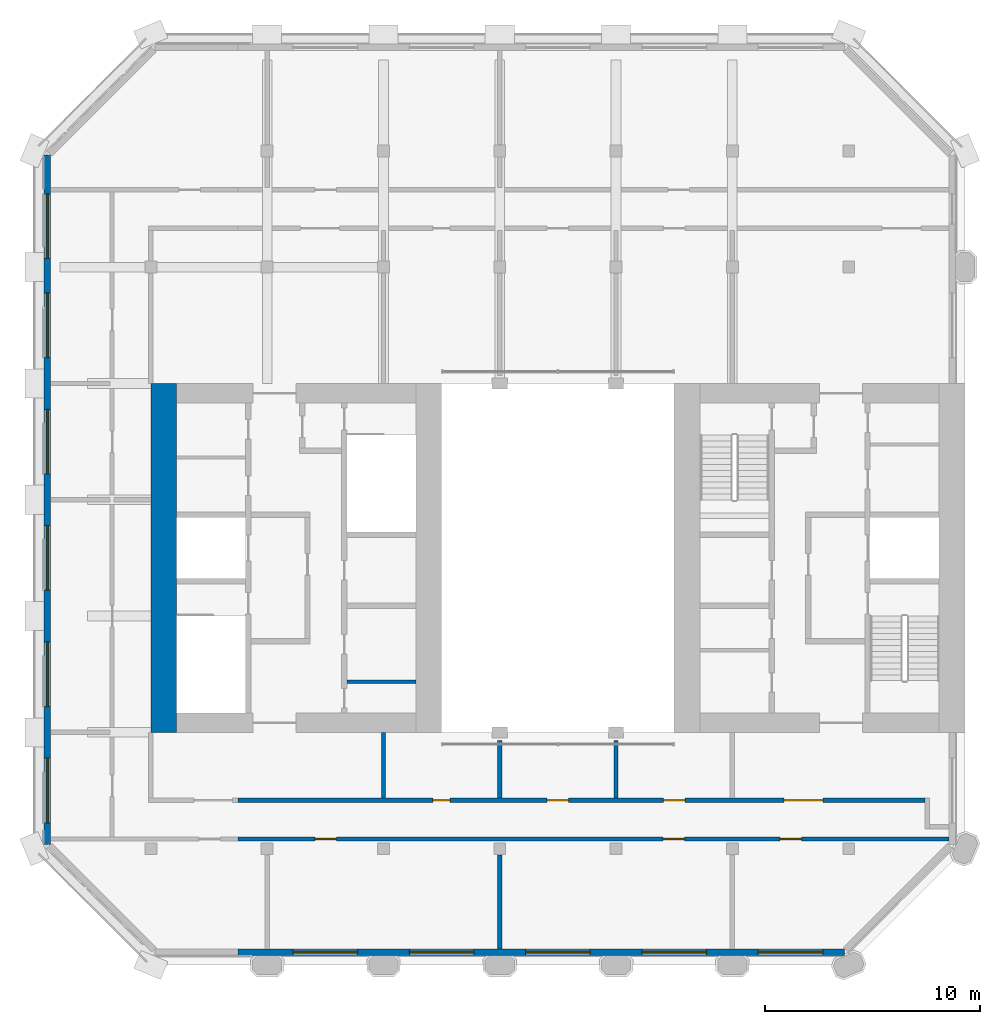
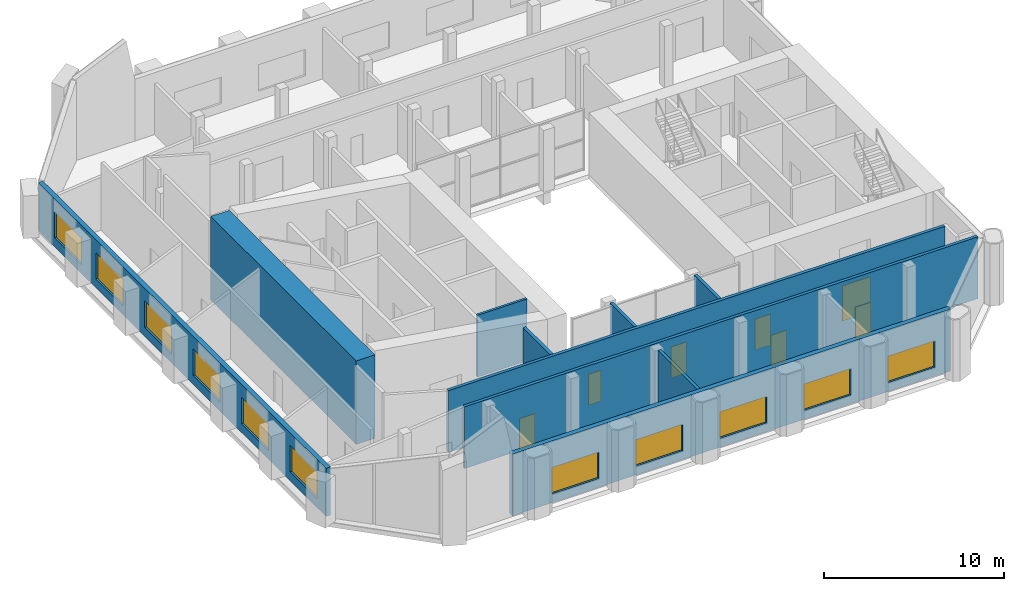
# One storey, part 6 of 11: 11 windows, 10 walls, 7 doors, 18 openings.
"""IFC4 building model written with IfcOpenShell, lengths in metres."""

from ifc_helpers import new_model, si_unit, direction, frame, frame_2d, origin, place, context, subcontext, project, spatial, polyline, rectangle, outline, extrude, material, layer, layer_set, type_object, element, fill, save


model = new_model("IFC4")

# Units and contexts
model_context = context("Model", 3, precision=1e-05, world=origin(), true_north=direction((0.0, 1.0)))
body_context = subcontext(model_context, "Body", "Model", "MODEL_VIEW")
ifc_project = project(units=[si_unit("LENGTHUNIT", "METRE"), si_unit("AREAUNIT", "SQUARE_METRE"), si_unit("VOLUMEUNIT", "CUBIC_METRE"), si_unit("PLANEANGLEUNIT", "RADIAN"), si_unit("MASSUNIT", "GRAM", prefix="KILO")], contexts=[model_context])

# Site, building, storey
site_placement = place(None, origin())
site = spatial("IfcSite", under=ifc_project, at=site_placement, CompositionType="ELEMENT")
building_placement = place(site_placement, origin())
building = spatial("IfcBuilding", under=site, at=building_placement, Name="Tabaq Tower and Sports Hall", CompositionType="ELEMENT")
storey_placement = place(building_placement, frame((0.0, 0.0, 321.699951171875)))
storey = spatial("IfcBuildingStorey", under=building, at=storey_placement, Name="L80", CompositionType="ELEMENT", Elevation=321.699951171875)

# Walls
ifc_material_1 = material(Name="Blockwork", Category="masonry")
ifc_layer_1 = layer(ifc_material_1, 0.14990234375)
ifc_layer_set_1 = layer_set([ifc_layer_1], Name="Core room partition 150 Blockwork")
wall_type_1 = type_object("IfcWallType", Name="Core room partition 150 Blockwork", PredefinedType="PARTITIONING", material=ifc_layer_set_1)
wall_1_placement = place(storey_placement, frame((14.5, 18.554931640625, 0.0), z_axis=(0.0, 0.0, 1.0), x_axis=(1.0, 0.0, 0.0)))
element("IfcWall", 1, at=wall_1_placement, inside=storey, type_object=wall_type_1, Name="Core room partition W L80", PredefinedType="PARTITIONING", context=body_context, shape_type="SweptSolid", body=[
    extrude(rectangle(XDim=3.199951171875, YDim=0.14990234375, at=frame_2d((1.60009765625, 0.0))), origin(), (0.0, 0.0, 1.0), 4.199951171875),
])
ifc_material_2 = material(Name="Concrete C40/50", Category="concrete")
ifc_layer_2 = layer(ifc_material_2, 1.199951171875)
ifc_layer_set_2 = layer_set([ifc_layer_2], Name="Core wall 1200 Concrete C40/50")
wall_type_2 = type_object("IfcWallType", Name="Core wall 1200 Concrete C40/50", PredefinedType="SOLIDWALL", material=ifc_layer_set_2)
wall_2_placement = place(storey_placement, frame((6.0, 16.199951171875, 0.0), z_axis=(0.0, 0.0, 1.0), x_axis=(0.0, 1.0, 0.0)))
element("IfcWall", 2, at=wall_2_placement, inside=storey, type_object=wall_type_2, Name="Core wall W L80", PredefinedType="SOLIDWALL", context=body_context, shape_type="SweptSolid", body=[
    extrude(rectangle(XDim=16.199951171875, YDim=1.199951171875, at=frame_2d((8.10009765625, 0.0))), origin(), (0.0, 0.0, 1.0), 5.666748046875),
])
ifc_material_3 = material(Name="Blockwork", Category="masonry")
ifc_layer_3 = layer(ifc_material_3, 0.199951171875)
ifc_layer_set_3 = layer_set([ifc_layer_3], Name="Fire compartment wall 200 Blockwork")
wall_type_3 = type_object("IfcWallType", Name="Fire compartment wall 200 Blockwork", PredefinedType="PARTITIONING", material=ifc_layer_set_3)
wall_3_placement = place(storey_placement, frame((21.60009765625, 10.5048828125, 0.0), z_axis=(0.0, 0.0, 1.0), x_axis=(0.0, -1.0, 0.0)))
element("IfcWall", 3, at=wall_3_placement, inside=storey, type_object=wall_type_3, Name="Compartment wall L80", PredefinedType="PARTITIONING", context=body_context, shape_type="SweptSolid", body=[
    extrude(rectangle(XDim=4.35400390625, YDim=0.199951171875, at=frame_2d((2.177001953125, 0.0))), origin(), (0.0, 0.0, 1.0), 4.199951171875),
])

# Wall, openings, doors
wall_4_placement = place(storey_placement, frame((9.449951171875, 11.25, 0.0), z_axis=(0.0, 0.0, 1.0), x_axis=(1.0, 0.0, 0.0)))
wall_4 = element("IfcWall", 4, at=wall_4_placement, inside=storey, type_object=wall_type_3, Name="Compartment wall L80", PredefinedType="PARTITIONING", context=body_context, shape_type="SweptSolid", body=[
    extrude(rectangle(XDim=32.9990234375, YDim=0.199951171875, at=frame_2d((16.49951171875, 0.0))), origin(), (0.0, 0.0, 1.0), 4.199951171875),
])
opening_1_placement = place(wall_4_placement, frame((25.1669921875, 0.0, 0.0)))
opening_1 = element("IfcOpeningElement", 5, at=opening_1_placement, cuts=wall_4, Name="Opening L80-010", PredefinedType="OPENING", context=body_context, shape_type="SweptSolid", body=[
    extrude(rectangle(XDim=1.0, YDim=2.10009765625, at=frame_2d((0.5, 1.050048828125))), frame((0.0, 0.10009765625, 0.0), z_axis=(0.0, -1.0, 0.0), x_axis=(1.0, 0.0, 0.0)), (0.0, 0.0, 1.0), 0.199951171875),
])
opening_2_placement = place(wall_4_placement, frame((19.73291015625, 0.0, 0.0)))
opening_2 = element("IfcOpeningElement", 6, at=opening_2_placement, cuts=wall_4, Name="Opening L80-011", PredefinedType="OPENING", context=body_context, shape_type="SweptSolid", body=[
    extrude(rectangle(XDim=1.0, YDim=2.10009765625, at=frame_2d((0.5, 1.050048828125))), frame((0.0, 0.10009765625, 0.0), z_axis=(0.0, -1.0, 0.0), x_axis=(1.0, 0.0, 0.0)), (0.0, 0.0, 1.0), 0.199951171875),
])
opening_3_placement = place(wall_4_placement, frame((3.56689453125, 0.0, 0.0)))
opening_3 = element("IfcOpeningElement", 7, at=opening_3_placement, cuts=wall_4, Name="Opening L80-012", PredefinedType="OPENING", context=body_context, shape_type="SweptSolid", body=[
    extrude(rectangle(XDim=1.0, YDim=2.10009765625, at=frame_2d((0.5, 1.050048828125))), frame((0.0, 0.10009765625, 0.0), z_axis=(0.0, -1.0, 0.0), x_axis=(1.0, 0.0, 0.0)), (0.0, 0.0, 1.0), 0.199951171875),
])
ifc_material_4 = material(Name="Steel fire door", Category="steel")
door_type_1 = type_object("IfcDoorType", Name="Plant room door 1000 left hand", OperationType="SINGLE_SWING_LEFT", PredefinedType="DOOR", material=ifc_material_4)
door_1_placement = place(opening_2_placement, origin())
door_1 = element("IfcDoor", 8, at=door_1_placement, inside=storey, type_object=door_type_1, Name="Plant room door L80-011", OperationType="SINGLE_SWING_LEFT", OverallHeight=2.10009765625, OverallWidth=1.0, PredefinedType="DOOR", context=body_context, shape_type="SweptSolid", body=[
    extrude(rectangle(XDim=1.0, YDim=2.10009765625, at=frame_2d((0.5, 1.050048828125))), frame((0.0, 0.02490234375, 0.0), z_axis=(0.0, -1.0, 0.0), x_axis=(1.0, 0.0, 0.0)), (0.0, 0.0, 1.0), 0.050048828125),
])
fill(opening_2, door_1)
door_2_placement = place(opening_3_placement, origin())
door_2 = element("IfcDoor", 9, at=door_2_placement, inside=storey, type_object=door_type_1, Name="Plant room door L80-012", OperationType="SINGLE_SWING_LEFT", OverallHeight=2.10009765625, OverallWidth=1.0, PredefinedType="DOOR", context=body_context, shape_type="SweptSolid", body=[
    extrude(rectangle(XDim=1.0, YDim=2.10009765625, at=frame_2d((0.5, 1.050048828125))), frame((0.0, 0.02490234375, 0.0), z_axis=(0.0, -1.0, 0.0), x_axis=(1.0, 0.0, 0.0)), (0.0, 0.0, 1.0), 0.050048828125),
])
fill(opening_3, door_2)
ifc_material_5 = material(Name="Steel fire door", Category="steel")
door_type_2 = type_object("IfcDoorType", Name="Plant room door 1000 right hand", OperationType="SINGLE_SWING_RIGHT", PredefinedType="DOOR", material=ifc_material_5)
door_3_placement = place(opening_1_placement, origin())
door_3 = element("IfcDoor", 10, at=door_3_placement, inside=storey, type_object=door_type_2, Name="Plant room door L80-010", OperationType="SINGLE_SWING_RIGHT", OverallHeight=2.10009765625, OverallWidth=1.0, PredefinedType="DOOR", context=body_context, shape_type="SweptSolid", body=[
    extrude(rectangle(XDim=1.0, YDim=2.10009765625, at=frame_2d((0.5, 1.050048828125))), frame((0.0, 0.02490234375, 0.0), z_axis=(0.0, -1.0, 0.0), x_axis=(1.0, 0.0, 0.0)), (0.0, 0.0, 1.0), 0.050048828125),
])
fill(opening_1, door_3)

# Walls
for number, where, z_axis, x_axis, name in (
    (11, (27.0, 15.830078125, 0.0), (0.0, 0.0, 1.0), (0.0, -1.0, 0.0), "Compartment wall L80"),
    (12, (21.60009765625, 15.830078125, 0.0), (0.0, 0.0, 1.0), (0.0, -1.0, 0.0), "Compartment wall L80"),
):
    element("IfcWall", number, at=place(storey_placement, frame(where, z_axis=z_axis, x_axis=x_axis)), inside=storey, type_object=wall_type_3, Name=name, PredefinedType="PARTITIONING", context=body_context, shape_type="SweptSolid", body=[
        extrude(rectangle(XDim=2.68017578125, YDim=0.199951171875, at=frame_2d((1.340087890625, 0.0))), origin(), (0.0, 0.0, 1.0), 4.199951171875),
    ])
wall_5_placement = place(storey_placement, frame((16.199951171875, 16.199951171875, 0.0), z_axis=(0.0, 0.0, 1.0), x_axis=(0.0, -1.0, 0.0)))
element("IfcWall", 13, at=wall_5_placement, inside=storey, type_object=wall_type_3, Name="Compartment wall L80", PredefinedType="PARTITIONING", context=body_context, shape_type="SweptSolid", body=[
    extrude(rectangle(XDim=3.050048828125, YDim=0.199951171875, at=frame_2d((1.52490234375, 0.0))), origin(), (0.0, 0.0, 1.0), 4.199951171875),
])

# Wall, openings, doors
wall_6_placement = place(storey_placement, frame((9.449951171875, 13.050048828125, 0.0), z_axis=(0.0, 0.0, 1.0), x_axis=(1.0, 0.0, 0.0)))
wall_6 = element("IfcWall", 14, at=wall_6_placement, inside=storey, type_object=wall_type_3, Name="Compartment wall L80", PredefinedType="PARTITIONING", context=body_context, shape_type="SweptSolid", body=[
    extrude(rectangle(XDim=31.899169921875, YDim=0.199951171875, at=frame_2d((15.94970703125, 0.0))), origin(), (0.0, 0.0, 1.0), 4.199951171875),
])
opening_4_placement = place(wall_6_placement, frame((19.75, 0.0, 0.0)))
opening_4 = element("IfcOpeningElement", 15, at=opening_4_placement, cuts=wall_6, Name="Opening L80-014", PredefinedType="OPENING", context=body_context, shape_type="SweptSolid", body=[
    extrude(rectangle(XDim=1.0, YDim=2.10009765625, at=frame_2d((0.5, 1.050048828125))), frame((0.0, 0.10009765625, 0.0), z_axis=(0.0, -1.0, 0.0), x_axis=(1.0, 0.0, 0.0)), (0.0, 0.0, 1.0), 0.199951171875),
])
opening_5_placement = place(wall_6_placement, frame((14.35009765625, 0.0, 0.0)))
opening_5 = element("IfcOpeningElement", 16, at=opening_5_placement, cuts=wall_6, Name="Opening L80-015", PredefinedType="OPENING", context=body_context, shape_type="SweptSolid", body=[
    extrude(rectangle(XDim=1.0, YDim=2.10009765625, at=frame_2d((0.5, 1.050048828125))), frame((0.0, 0.10009765625, 0.0), z_axis=(0.0, -1.0, 0.0), x_axis=(1.0, 0.0, 0.0)), (0.0, 0.0, 1.0), 0.199951171875),
])
opening_6_placement = place(wall_6_placement, frame((9.050048828125, 0.0, 0.0)))
opening_6 = element("IfcOpeningElement", 17, at=opening_6_placement, cuts=wall_6, Name="Opening L80-016", PredefinedType="OPENING", context=body_context, shape_type="SweptSolid", body=[
    extrude(rectangle(XDim=0.800048828125, YDim=2.10009765625, at=frame_2d((0.39990234375, 1.050048828125))), frame((0.0, 0.10009765625, 0.0), z_axis=(0.0, -1.0, 0.0), x_axis=(1.0, 0.0, 0.0)), (0.0, 0.0, 1.0), 0.199951171875),
])
opening_7_placement = place(wall_6_placement, frame((25.35009765625, 0.0, 0.0)))
opening_7 = element("IfcOpeningElement", 18, at=opening_7_placement, cuts=wall_6, Name="Opening L80-020", PredefinedType="OPENING", context=body_context, shape_type="SweptSolid", body=[
    extrude(rectangle(XDim=1.800048828125, YDim=2.39990234375, at=frame_2d((0.89990234375, 1.199951171875))), frame((0.0, 0.10009765625, 0.0), z_axis=(0.0, -1.0, 0.0), x_axis=(1.0, 0.0, 0.0)), (0.0, 0.0, 1.0), 0.199951171875),
])
door_4_placement = place(opening_5_placement, origin())
door_4 = element("IfcDoor", 19, at=door_4_placement, inside=storey, type_object=door_type_1, Name="Plant room door L80-015", OperationType="SINGLE_SWING_LEFT", OverallHeight=2.10009765625, OverallWidth=1.0, PredefinedType="DOOR", context=body_context, shape_type="SweptSolid", body=[
    extrude(rectangle(XDim=1.0, YDim=2.10009765625, at=frame_2d((0.5, 1.050048828125))), frame((0.0, 0.02490234375, 0.0), z_axis=(0.0, -1.0, 0.0), x_axis=(1.0, 0.0, 0.0)), (0.0, 0.0, 1.0), 0.050048828125),
])
fill(opening_5, door_4)
ifc_material_6 = material(Name="Steel fire door", Category="steel")
door_type_3 = type_object("IfcDoorType", Name="Plant room door 1800", OperationType="DOUBLE_DOOR_SINGLE_SWING", PredefinedType="DOOR", material=ifc_material_6)
door_5_placement = place(opening_7_placement, origin())
door_5 = element("IfcDoor", 20, at=door_5_placement, inside=storey, type_object=door_type_3, Name="Plant room door L80-020", OperationType="DOUBLE_DOOR_SINGLE_SWING", OverallHeight=2.39990234375, OverallWidth=1.800048828125, PredefinedType="DOOR", context=body_context, shape_type="SweptSolid", body=[
    extrude(rectangle(XDim=1.800048828125, YDim=2.39990234375, at=frame_2d((0.89990234375, 1.199951171875))), frame((0.0, 0.02490234375, 0.0), z_axis=(0.0, -1.0, 0.0), x_axis=(1.0, 0.0, 0.0)), (0.0, 0.0, 1.0), 0.050048828125),
])
fill(opening_7, door_5)
ifc_material_7 = material(Name="Steel fire door", Category="steel")
door_type_4 = type_object("IfcDoorType", Name="Riser door 1000 right hand", OperationType="SINGLE_SWING_RIGHT", PredefinedType="DOOR", material=ifc_material_7)
door_6_placement = place(opening_4_placement, origin())
door_6 = element("IfcDoor", 21, at=door_6_placement, inside=storey, type_object=door_type_4, Name="Riser door L80-014", OperationType="SINGLE_SWING_RIGHT", OverallHeight=2.10009765625, OverallWidth=1.0, PredefinedType="DOOR", context=body_context, shape_type="SweptSolid", body=[
    extrude(rectangle(XDim=1.0, YDim=2.10009765625, at=frame_2d((0.5, 1.050048828125))), frame((0.0, 0.02490234375, 0.0), z_axis=(0.0, -1.0, 0.0), x_axis=(1.0, 0.0, 0.0)), (0.0, 0.0, 1.0), 0.050048828125),
])
fill(opening_4, door_6)
ifc_material_8 = material(Name="Steel fire door", Category="steel")
door_type_5 = type_object("IfcDoorType", Name="Riser door 800 left hand", OperationType="SINGLE_SWING_LEFT", PredefinedType="DOOR", material=ifc_material_8)
door_7_placement = place(opening_6_placement, origin())
door_7 = element("IfcDoor", 22, at=door_7_placement, inside=storey, type_object=door_type_5, Name="Riser door L80-016", OperationType="SINGLE_SWING_LEFT", OverallHeight=2.10009765625, OverallWidth=0.800048828125, PredefinedType="DOOR", context=body_context, shape_type="SweptSolid", body=[
    extrude(rectangle(XDim=0.800048828125, YDim=2.10009765625, at=frame_2d((0.39990234375, 1.050048828125))), frame((0.0, 0.02490234375, 0.0), z_axis=(0.0, -1.0, 0.0), x_axis=(1.0, 0.0, 0.0)), (0.0, 0.0, 1.0), 0.050048828125),
])
fill(opening_6, door_7)

# Wall, openings, windows
ifc_material_9 = material(Name="White precast concrete C60/75", Category="concrete")
ifc_layer_4 = layer(ifc_material_9, 0.300048828125)
ifc_layer_set_4 = layer_set([ifc_layer_4], Name="White precast concrete C60/75 external wall 300")
wall_type_4 = type_object("IfcWallType", Name="White precast concrete C60/75 external wall 300", PredefinedType="SOLIDWALL", material=ifc_layer_set_4)
wall_7_placement = place(storey_placement, frame((9.449951171875, 6.0, 0.0), z_axis=(0.0, 0.0, 1.0), x_axis=(1.0, 0.0, 0.0)))
wall_7 = element("IfcWall", 23, at=wall_7_placement, inside=storey, type_object=wall_type_4, Name="External Wall L80 S", PredefinedType="SOLIDWALL", context=body_context, shape_type="SweptSolid", body=[
    extrude(outline(polyline([(0.0, 0.0), (28.16357421875, 0.0), (28.16357421875, 4.199951171875), (27.564453125, 4.199951171875), (26.965087890625, 4.199951171875), (26.365966796875, 4.199951171875), (25.7666015625, 4.199951171875), (25.16748046875, 4.199951171875), (24.568359375, 4.199951171875), (23.968994140625, 4.199951171875), (23.369873046875, 4.199951171875), (22.7705078125, 4.199951171875), (22.17138671875, 4.199951171875), (21.572021484375, 4.199951171875), (20.972900390625, 4.199951171875), (20.373779296875, 4.199951171875), (19.7744140625, 4.199951171875), (19.17529296875, 4.199951171875), (18.575927734375, 4.199951171875), (17.976806640625, 4.199951171875), (17.37744140625, 4.199951171875), (16.7783203125, 4.199951171875), (16.17919921875, 4.199951171875), (15.579833984375, 4.199951171875), (14.980712890625, 4.199951171875), (14.38134765625, 4.199951171875), (13.7822265625, 4.199951171875), (13.182861328125, 4.199951171875), (12.583740234375, 4.199951171875), (11.984619140625, 4.199951171875), (11.38525390625, 4.199951171875), (10.7861328125, 4.199951171875), (10.186767578125, 4.199951171875), (9.587646484375, 4.199951171875), (8.98828125, 4.199951171875), (8.38916015625, 4.199951171875), (7.7900390625, 4.199951171875), (7.190673828125, 4.199951171875), (6.591552734375, 4.199951171875), (5.9921875, 4.199951171875), (5.39306640625, 4.199951171875), (4.793701171875, 4.199951171875), (4.194580078125, 4.199951171875), (3.595458984375, 4.199951171875), (2.99609375, 4.199951171875), (2.39697265625, 4.199951171875), (1.797607421875, 4.199951171875), (1.198486328125, 4.199951171875), (0.59912109375, 4.199951171875), (0.0, 4.199951171875), (0.0, 0.0)])), frame((0.0, 0.14990234375, 0.0), z_axis=(0.0, -1.0, 0.0), x_axis=(1.0, 0.0, 0.0)), (0.0, 0.0, 1.0), 0.300048828125),
])
opening_8_placement = place(wall_7_placement, frame((2.550048828125, 0.0, 0.60009765625)))
opening_8 = element("IfcOpeningElement", 24, at=opening_8_placement, cuts=wall_7, Name="Opening LV1", PredefinedType="OPENING", context=body_context, shape_type="SweptSolid", body=[
    extrude(rectangle(XDim=3.0, YDim=1.800048828125, at=frame_2d((1.5, 0.89990234375))), frame((0.0, 0.16015625, 0.0), z_axis=(0.0, -1.0, 0.0), x_axis=(1.0, 0.0, 0.0)), (0.0, 0.0, 1.0), 0.320068359375),
])
opening_9_placement = place(wall_7_placement, frame((7.949951171875, 0.0, 0.60009765625)))
opening_9 = element("IfcOpeningElement", 25, at=opening_9_placement, cuts=wall_7, Name="Opening LV1", PredefinedType="OPENING", context=body_context, shape_type="SweptSolid", body=[
    extrude(rectangle(XDim=3.0, YDim=1.800048828125, at=frame_2d((1.5, 0.89990234375))), frame((0.0, 0.16015625, 0.0), z_axis=(0.0, -1.0, 0.0), x_axis=(1.0, 0.0, 0.0)), (0.0, 0.0, 1.0), 0.320068359375),
])
opening_10_placement = place(wall_7_placement, frame((13.35009765625, 0.0, 0.60009765625)))
opening_10 = element("IfcOpeningElement", 26, at=opening_10_placement, cuts=wall_7, Name="Opening LV1", PredefinedType="OPENING", context=body_context, shape_type="SweptSolid", body=[
    extrude(rectangle(XDim=3.0, YDim=1.800048828125, at=frame_2d((1.5, 0.89990234375))), frame((0.0, 0.16015625, 0.0), z_axis=(0.0, -1.0, 0.0), x_axis=(1.0, 0.0, 0.0)), (0.0, 0.0, 1.0), 0.320068359375),
])
opening_11_placement = place(wall_7_placement, frame((18.75, 0.0, 0.60009765625)))
opening_11 = element("IfcOpeningElement", 27, at=opening_11_placement, cuts=wall_7, Name="Opening LV1", PredefinedType="OPENING", context=body_context, shape_type="SweptSolid", body=[
    extrude(rectangle(XDim=3.0, YDim=1.800048828125, at=frame_2d((1.5, 0.89990234375))), frame((0.0, 0.16015625, 0.0), z_axis=(0.0, -1.0, 0.0), x_axis=(1.0, 0.0, 0.0)), (0.0, 0.0, 1.0), 0.320068359375),
])
opening_12_placement = place(wall_7_placement, frame((24.14990234375, 0.0, 0.60009765625)))
opening_12 = element("IfcOpeningElement", 28, at=opening_12_placement, cuts=wall_7, Name="Opening LV1", PredefinedType="OPENING", context=body_context, shape_type="SweptSolid", body=[
    extrude(rectangle(XDim=3.0, YDim=1.800048828125, at=frame_2d((1.5, 0.89990234375))), frame((0.0, 0.16015625, 0.0), z_axis=(0.0, -1.0, 0.0), x_axis=(1.0, 0.0, 0.0)), (0.0, 0.0, 1.0), 0.320068359375),
])
ifc_material_10 = material(Name="Aluminium alloy 6063-T6 louvre blades", Category="aluminium")
window_type = type_object("IfcWindowType", Name="Plant louvre LV1", PartitioningType="SINGLE_PANEL", PredefinedType="WINDOW", material=ifc_material_10)
window_1_placement = place(opening_8_placement, origin())
window_1 = element("IfcWindow", 29, at=window_1_placement, inside=storey, type_object=window_type, Name="Plant louvre L80", OverallHeight=1.800048828125, OverallWidth=3.0, PartitioningType="SINGLE_PANEL", PredefinedType="WINDOW", context=body_context, shape_type="SweptSolid", body=[
    extrude(rectangle(XDim=3.0, YDim=1.800048828125, at=frame_2d((1.5, 0.89990234375))), frame((0.0, 0.030029296875, 0.0), z_axis=(0.0, -1.0, 0.0), x_axis=(1.0, 0.0, 0.0)), (0.0, 0.0, 1.0), 0.06005859375),
])
fill(opening_8, window_1)
window_2_placement = place(opening_9_placement, origin())
window_2 = element("IfcWindow", 30, at=window_2_placement, inside=storey, type_object=window_type, Name="Plant louvre L80", OverallHeight=1.800048828125, OverallWidth=3.0, PartitioningType="SINGLE_PANEL", PredefinedType="WINDOW", context=body_context, shape_type="SweptSolid", body=[
    extrude(rectangle(XDim=3.0, YDim=1.800048828125, at=frame_2d((1.5, 0.89990234375))), frame((0.0, 0.030029296875, 0.0), z_axis=(0.0, -1.0, 0.0), x_axis=(1.0, 0.0, 0.0)), (0.0, 0.0, 1.0), 0.06005859375),
])
fill(opening_9, window_2)
window_3_placement = place(opening_10_placement, origin())
window_3 = element("IfcWindow", 31, at=window_3_placement, inside=storey, type_object=window_type, Name="Plant louvre L80", OverallHeight=1.800048828125, OverallWidth=3.0, PartitioningType="SINGLE_PANEL", PredefinedType="WINDOW", context=body_context, shape_type="SweptSolid", body=[
    extrude(rectangle(XDim=3.0, YDim=1.800048828125, at=frame_2d((1.5, 0.89990234375))), frame((0.0, 0.030029296875, 0.0), z_axis=(0.0, -1.0, 0.0), x_axis=(1.0, 0.0, 0.0)), (0.0, 0.0, 1.0), 0.06005859375),
])
fill(opening_10, window_3)
window_4_placement = place(opening_11_placement, origin())
window_4 = element("IfcWindow", 32, at=window_4_placement, inside=storey, type_object=window_type, Name="Plant louvre L80", OverallHeight=1.800048828125, OverallWidth=3.0, PartitioningType="SINGLE_PANEL", PredefinedType="WINDOW", context=body_context, shape_type="SweptSolid", body=[
    extrude(rectangle(XDim=3.0, YDim=1.800048828125, at=frame_2d((1.5, 0.89990234375))), frame((0.0, 0.030029296875, 0.0), z_axis=(0.0, -1.0, 0.0), x_axis=(1.0, 0.0, 0.0)), (0.0, 0.0, 1.0), 0.06005859375),
])
fill(opening_11, window_4)
window_5_placement = place(opening_12_placement, origin())
window_5 = element("IfcWindow", 33, at=window_5_placement, inside=storey, type_object=window_type, Name="Plant louvre L80", OverallHeight=1.800048828125, OverallWidth=3.0, PartitioningType="SINGLE_PANEL", PredefinedType="WINDOW", context=body_context, shape_type="SweptSolid", body=[
    extrude(rectangle(XDim=3.0, YDim=1.800048828125, at=frame_2d((1.5, 0.89990234375))), frame((0.0, 0.030029296875, 0.0), z_axis=(0.0, -1.0, 0.0), x_axis=(1.0, 0.0, 0.0)), (0.0, 0.0, 1.0), 0.06005859375),
])
fill(opening_12, window_5)

wall_8_placement = place(storey_placement, frame((0.60009765625, 43.013671875, 0.0), z_axis=(0.0, 0.0, 1.0), x_axis=(0.0, -1.0, 0.0)))
wall_8 = element("IfcWall", 34, at=wall_8_placement, inside=storey, type_object=wall_type_4, Name="External Wall L80 W", PredefinedType="SOLIDWALL", context=body_context, shape_type="SweptSolid", body=[
    extrude(outline(polyline([(0.0, 0.0), (32.02734375, 0.0), (32.027099609375, 3.2666015625), (31.43408203125, 3.2666015625), (30.841064453125, 3.2666015625), (30.247802734375, 3.2666015625), (29.65478515625, 3.2666015625), (29.061767578125, 3.2666015625), (28.46875, 3.2666015625), (27.87548828125, 3.2666015625), (27.282470703125, 3.2666015625), (26.689453125, 3.2666015625), (26.09619140625, 3.2666015625), (25.503173828125, 3.2666015625), (24.91015625, 3.2666015625), (24.31689453125, 3.2666015625), (23.723876953125, 3.2666015625), (23.130859375, 3.2666015625), (22.53759765625, 3.2666015625), (21.944580078125, 3.2666015625), (21.3515625, 3.2666015625), (20.75830078125, 3.2666015625), (20.165283203125, 3.2666015625), (19.572265625, 3.2666015625), (18.97900390625, 3.2666015625), (18.385986328125, 3.2666015625), (17.79296875, 3.2666015625), (17.19970703125, 3.2666015625), (16.606689453125, 3.2666015625), (16.013671875, 3.2666015625), (15.42041015625, 3.2666015625), (14.827392578125, 3.2666015625), (14.234375, 3.2666015625), (13.64111328125, 3.2666015625), (13.048095703125, 3.2666015625), (12.455078125, 3.2666015625), (11.86181640625, 3.2666015625), (11.268798828125, 3.2666015625), (10.67578125, 3.2666015625), (10.08251953125, 3.2666015625), (9.489501953125, 3.2666015625), (8.896484375, 3.2666015625), (8.303466796875, 3.2666015625), (7.710205078125, 3.2666015625), (7.1171875, 3.2666015625), (6.524169921875, 3.2666015625), (5.930908203125, 3.2666015625), (5.337890625, 3.2666015625), (4.744873046875, 3.2666015625), (4.151611328125, 3.2666015625), (3.55859375, 3.2666015625), (2.965576171875, 3.2666015625), (2.372314453125, 3.2666015625), (1.779296875, 3.2666015625), (1.186279296875, 3.2666015625), (0.593017578125, 3.2666015625), (0.0, 3.2666015625), (0.0, 0.0)])), frame((0.0, 0.14990234375, 0.0), z_axis=(0.0, -1.0, 0.0), x_axis=(1.0, 0.0, 0.0)), (0.0, 0.0, 1.0), 0.300048828125),
])
opening_13_placement = place(wall_8_placement, frame((1.81005859375, 0.0, 0.60009765625)))
opening_13 = element("IfcOpeningElement", 35, at=opening_13_placement, cuts=wall_8, Name="Opening LV1", PredefinedType="OPENING", context=body_context, shape_type="SweptSolid", body=[
    extrude(rectangle(XDim=3.0, YDim=1.800048828125, at=frame_2d((1.5, 0.89990234375))), frame((0.0, 0.16015625, 0.0), z_axis=(0.0, -1.0, 0.0), x_axis=(1.0, 0.0, 0.0)), (0.0, 0.0, 1.0), 0.320068359375),
])
opening_14_placement = place(wall_8_placement, frame((6.41357421875, 0.0, 0.60009765625)))
opening_14 = element("IfcOpeningElement", 36, at=opening_14_placement, cuts=wall_8, Name="Opening LV1", PredefinedType="OPENING", context=body_context, shape_type="SweptSolid", body=[
    extrude(rectangle(XDim=3.0, YDim=1.800048828125, at=frame_2d((1.5, 0.89990234375))), frame((0.0, 0.16015625, 0.0), z_axis=(0.0, -1.0, 0.0), x_axis=(1.0, 0.0, 0.0)), (0.0, 0.0, 1.0), 0.320068359375),
])
opening_15_placement = place(wall_8_placement, frame((11.813720703125, 0.0, 0.60009765625)))
opening_15 = element("IfcOpeningElement", 37, at=opening_15_placement, cuts=wall_8, Name="Opening LV1", PredefinedType="OPENING", context=body_context, shape_type="SweptSolid", body=[
    extrude(rectangle(XDim=3.0, YDim=1.800048828125, at=frame_2d((1.5, 0.89990234375))), frame((0.0, 0.16015625, 0.0), z_axis=(0.0, -1.0, 0.0), x_axis=(1.0, 0.0, 0.0)), (0.0, 0.0, 1.0), 0.320068359375),
])
opening_16_placement = place(wall_8_placement, frame((17.213623046875, 0.0, 0.60009765625)))
opening_16 = element("IfcOpeningElement", 38, at=opening_16_placement, cuts=wall_8, Name="Opening LV1", PredefinedType="OPENING", context=body_context, shape_type="SweptSolid", body=[
    extrude(rectangle(XDim=3.0, YDim=1.800048828125, at=frame_2d((1.5, 0.89990234375))), frame((0.0, 0.16015625, 0.0), z_axis=(0.0, -1.0, 0.0), x_axis=(1.0, 0.0, 0.0)), (0.0, 0.0, 1.0), 0.320068359375),
])
opening_17_placement = place(wall_8_placement, frame((22.613525390625, 0.0, 0.60009765625)))
opening_17 = element("IfcOpeningElement", 39, at=opening_17_placement, cuts=wall_8, Name="Opening LV1", PredefinedType="OPENING", context=body_context, shape_type="SweptSolid", body=[
    extrude(rectangle(XDim=3.0, YDim=1.800048828125, at=frame_2d((1.5, 0.89990234375))), frame((0.0, 0.16015625, 0.0), z_axis=(0.0, -1.0, 0.0), x_axis=(1.0, 0.0, 0.0)), (0.0, 0.0, 1.0), 0.320068359375),
])
opening_18_placement = place(wall_8_placement, frame((28.013671875, 0.0, 0.60009765625)))
opening_18 = element("IfcOpeningElement", 40, at=opening_18_placement, cuts=wall_8, Name="Opening LV1", PredefinedType="OPENING", context=body_context, shape_type="SweptSolid", body=[
    extrude(rectangle(XDim=3.0, YDim=1.800048828125, at=frame_2d((1.5, 0.89990234375))), frame((0.0, 0.16015625, 0.0), z_axis=(0.0, -1.0, 0.0), x_axis=(1.0, 0.0, 0.0)), (0.0, 0.0, 1.0), 0.320068359375),
])
window_6_placement = place(opening_13_placement, origin())
window_6 = element("IfcWindow", 41, at=window_6_placement, inside=storey, type_object=window_type, Name="Plant louvre L80", OverallHeight=1.800048828125, OverallWidth=3.0, PartitioningType="SINGLE_PANEL", PredefinedType="WINDOW", context=body_context, shape_type="SweptSolid", body=[
    extrude(rectangle(XDim=3.0, YDim=1.800048828125, at=frame_2d((1.5, 0.89990234375))), frame((0.0, 0.030029296875, 0.0), z_axis=(0.0, -1.0, 0.0), x_axis=(1.0, 0.0, 0.0)), (0.0, 0.0, 1.0), 0.06005859375),
])
fill(opening_13, window_6)
window_7_placement = place(opening_14_placement, origin())
window_7 = element("IfcWindow", 42, at=window_7_placement, inside=storey, type_object=window_type, Name="Plant louvre L80", OverallHeight=1.800048828125, OverallWidth=3.0, PartitioningType="SINGLE_PANEL", PredefinedType="WINDOW", context=body_context, shape_type="SweptSolid", body=[
    extrude(rectangle(XDim=3.0, YDim=1.800048828125, at=frame_2d((1.5, 0.89990234375))), frame((0.0, 0.030029296875, 0.0), z_axis=(0.0, -1.0, 0.0), x_axis=(1.0, 0.0, 0.0)), (0.0, 0.0, 1.0), 0.06005859375),
])
fill(opening_14, window_7)
window_8_placement = place(opening_15_placement, origin())
window_8 = element("IfcWindow", 43, at=window_8_placement, inside=storey, type_object=window_type, Name="Plant louvre L80", OverallHeight=1.800048828125, OverallWidth=3.0, PartitioningType="SINGLE_PANEL", PredefinedType="WINDOW", context=body_context, shape_type="SweptSolid", body=[
    extrude(rectangle(XDim=3.0, YDim=1.800048828125, at=frame_2d((1.5, 0.89990234375))), frame((0.0, 0.030029296875, 0.0), z_axis=(0.0, -1.0, 0.0), x_axis=(1.0, 0.0, 0.0)), (0.0, 0.0, 1.0), 0.06005859375),
])
fill(opening_15, window_8)
window_9_placement = place(opening_16_placement, origin())
window_9 = element("IfcWindow", 44, at=window_9_placement, inside=storey, type_object=window_type, Name="Plant louvre L80", OverallHeight=1.800048828125, OverallWidth=3.0, PartitioningType="SINGLE_PANEL", PredefinedType="WINDOW", context=body_context, shape_type="SweptSolid", body=[
    extrude(rectangle(XDim=3.0, YDim=1.800048828125, at=frame_2d((1.5, 0.89990234375))), frame((0.0, 0.030029296875, 0.0), z_axis=(0.0, -1.0, 0.0), x_axis=(1.0, 0.0, 0.0)), (0.0, 0.0, 1.0), 0.06005859375),
])
fill(opening_16, window_9)
window_10_placement = place(opening_17_placement, origin())
window_10 = element("IfcWindow", 45, at=window_10_placement, inside=storey, type_object=window_type, Name="Plant louvre L80", OverallHeight=1.800048828125, OverallWidth=3.0, PartitioningType="SINGLE_PANEL", PredefinedType="WINDOW", context=body_context, shape_type="SweptSolid", body=[
    extrude(rectangle(XDim=3.0, YDim=1.800048828125, at=frame_2d((1.5, 0.89990234375))), frame((0.0, 0.030029296875, 0.0), z_axis=(0.0, -1.0, 0.0), x_axis=(1.0, 0.0, 0.0)), (0.0, 0.0, 1.0), 0.06005859375),
])
fill(opening_17, window_10)
window_11_placement = place(opening_18_placement, origin())
window_11 = element("IfcWindow", 46, at=window_11_placement, inside=storey, type_object=window_type, Name="Plant louvre L80", OverallHeight=1.800048828125, OverallWidth=3.0, PartitioningType="SINGLE_PANEL", PredefinedType="WINDOW", context=body_context, shape_type="SweptSolid", body=[
    extrude(rectangle(XDim=3.0, YDim=1.800048828125, at=frame_2d((1.5, 0.89990234375))), frame((0.0, 0.030029296875, 0.0), z_axis=(0.0, -1.0, 0.0), x_axis=(1.0, 0.0, 0.0)), (0.0, 0.0, 1.0), 0.06005859375),
])
fill(opening_18, window_11)

save(model, "model.ifc")
